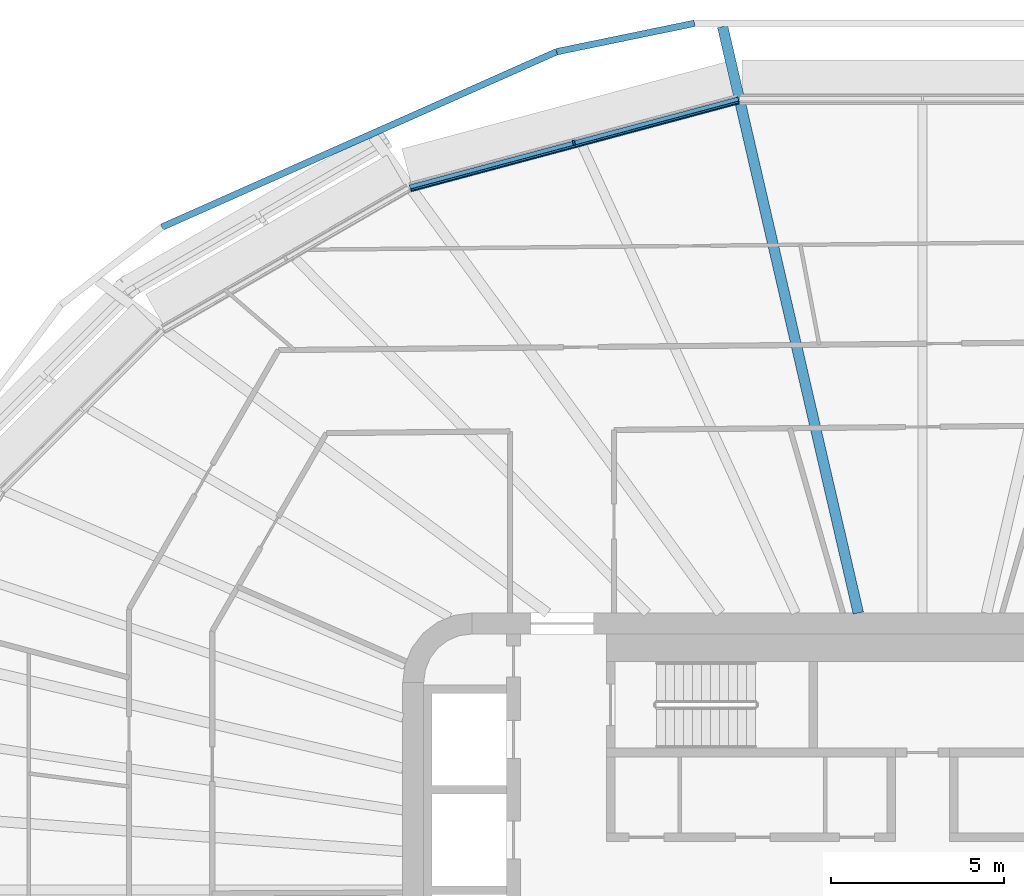
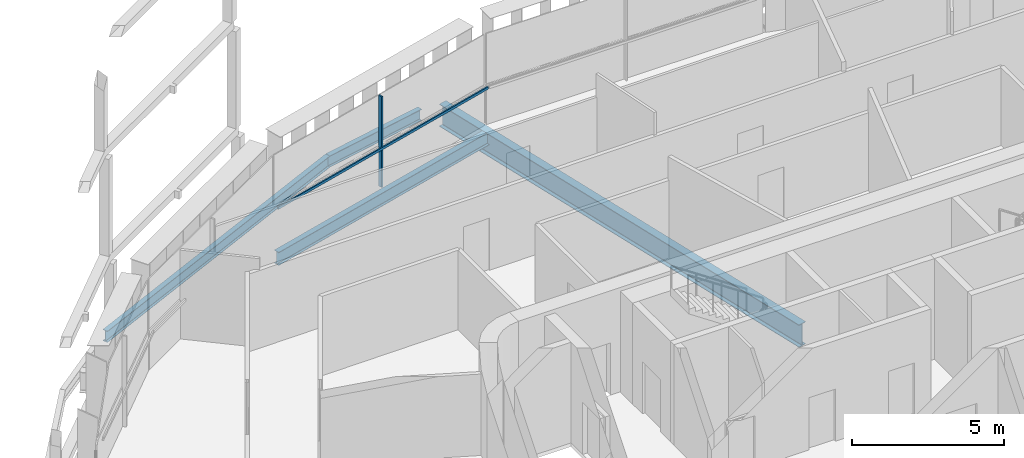
# One storey, part 8 of 24: 4 beams, 2 members, 1 element without a shape of its own.
"""IFC4 building model written with IfcOpenShell, lengths in metres."""

from ifc_helpers import new_model, si_unit, direction, frame, origin, origin_2d, place, context, subcontext, project, spatial, rectangle, i_section, extrude, material, layer, layer_set, material_profile, profile_set, type_object, element, aggregate, save


model = new_model("IFC4")

# Units and contexts
model_context = context("Model", 3, precision=1e-05, world=origin(), true_north=direction((0.0, 1.0)))
body_context = subcontext(model_context, "Body", "Model", "MODEL_VIEW")
ifc_project = project(units=[si_unit("LENGTHUNIT", "METRE"), si_unit("AREAUNIT", "SQUARE_METRE"), si_unit("VOLUMEUNIT", "CUBIC_METRE"), si_unit("PLANEANGLEUNIT", "RADIAN"), si_unit("MASSUNIT", "GRAM", prefix="KILO")], contexts=[model_context])

# Site, building, storey
site_placement = place(None, origin())
site = spatial("IfcSite", under=ifc_project, at=site_placement, CompositionType="ELEMENT")
building_placement = place(site_placement, origin())
building = spatial("IfcBuilding", under=site, at=building_placement, Name="Sahrelin Media Tower", CompositionType="ELEMENT")
storey_placement = place(building_placement, frame((0.0, 0.0, 58.800048828125)))
storey = spatial("IfcBuildingStorey", under=building, at=storey_placement, Name="L09", CompositionType="ELEMENT", Elevation=58.800048828125)

# Beam
ifc_material_1 = material(Name="Steel S355", Category="steel")
ifc_material_profile_1 = material_profile(ifc_material_1, i_section(OverallWidth=0.208740234375, OverallDepth=0.5283203125, WebThickness=0.009521484375, FlangeThickness=0.01318359375, FilletRadius=0.0126953125, at=origin_2d()), Name="UB 533x210x82")
ifc_profile_set_1 = profile_set([ifc_material_profile_1], Name="Steel S355")
beam_type_1 = type_object("IfcBeamType", Name="Edge beam EB6", PredefinedType="BEAM", material=ifc_profile_set_1)
beam_1_placement = place(storey_placement, frame((-14.786865234375, 20.250244140625, -0.414306640625), z_axis=(0.96592551844, 0.25882019401, 0.0), x_axis=(-0.25882019401, 0.96592551844, 0.0)))
element("IfcBeam", 1, at=beam_1_placement, inside=storey, type_object=beam_type_1, Name="Edge beam L09-18", PredefinedType="BEAM", context=body_context, shape_type="SweptSolid", body=[
    extrude(i_section(OverallWidth=0.208740234375, OverallDepth=0.5283203125, WebThickness=0.009521484375, FlangeThickness=0.01318359375, FilletRadius=0.0126953125, at=origin_2d()), origin(), (0.0, 0.0, 1.0), 9.817626953125),
])

# Curtain wall, member
ifc_material_2 = material(Name="Champagne anodised aluminium 6063-T6", Category="aluminium")
ifc_layer = layer(ifc_material_2, 0.14990234375)
ifc_layer_set = layer_set([ifc_layer], Name="Tower ribbon curtain wall")
curtain_wall_type = type_object("IfcCurtainWallType", Name="Tower ribbon curtain wall", PredefinedType="NOTDEFINED", material=ifc_layer_set)
curtain_wall_placement = place(storey_placement, frame((-10.083984375, 21.665771484375, 0.0), z_axis=(0.0, 0.0, 1.0), x_axis=(1.0, 0.0, 0.0)))
curtain_wall = element("IfcCurtainWall", 2, at=curtain_wall_placement, inside=storey, type_object=curtain_wall_type, Name="L09:CW:L09-07", PredefinedType="NOTDEFINED")
ifc_material_profile_2 = material_profile(ifc_material_2, rectangle(XDim=0.06005859375, YDim=0.14990234375, at=origin_2d()), Name="Mullion 60x150")
ifc_profile_set_2 = profile_set([ifc_material_profile_2], Name="Champagne anodised aluminium 6063-T6")
member_type_1 = type_object("IfcMemberType", Name="Mullion 60x150 CW1", PredefinedType="MULLION", material=ifc_profile_set_2)
member_1_placement = place(storey_placement, frame((-10.059326171875, 21.573974609375, 0.0), z_axis=(0.0, 0.0, 1.0), x_axis=(-0.965924471102, -0.258824102675, 0.0)))
member_1 = element("IfcMember", 3, at=member_1_placement, type_object=member_type_1, Name="L09:CWM:L09-07", PredefinedType="MULLION", context=body_context, shape_type="SweptSolid", body=[
    extrude(rectangle(XDim=0.06005859375, YDim=0.14990234375, at=origin_2d()), origin(), (0.0, 0.0, 1.0), 3.6484375),
])

# Beams
ifc_material_profile_3 = material_profile(ifc_material_1, i_section(OverallWidth=0.30322265625, OverallDepth=0.903076171875, WebThickness=0.01513671875, FlangeThickness=0.020263671875, FilletRadius=0.01904296875, at=origin_2d()), Name="UB 914x305x201")
ifc_profile_set_3 = profile_set([ifc_material_profile_3], Name="Steel S355")
beam_type_2 = type_object("IfcBeamType", Name="Radial primary beam PB11", PredefinedType="BEAM", material=ifc_profile_set_3)
beam_2_placement = place(storey_placement, frame((-1.85107421875, 8.0, -0.6015625), z_axis=(-0.225438360728, 0.974257432875, 0.0), x_axis=(-0.974257432875, -0.225438360728, 0.0)))
element("IfcBeam", 4, at=beam_2_placement, inside=storey, type_object=beam_type_2, Name="Radial beam L09-07", PredefinedType="BEAM", context=body_context, shape_type="SweptSolid", body=[
    extrude(i_section(OverallWidth=0.30322265625, OverallDepth=0.903076171875, WebThickness=0.01513671875, FlangeThickness=0.020263671875, FilletRadius=0.01904296875, at=origin_2d()), origin(), (0.0, 0.0, 1.0), 17.371826171875),
])
ifc_material_profile_4 = material_profile(ifc_material_1, i_section(OverallWidth=0.1904296875, OverallDepth=0.45703125, WebThickness=0.009033203125, FlangeThickness=0.014404296875, FilletRadius=0.01025390625, at=origin_2d()), Name="UB 457x191x74")
ifc_profile_set_4 = profile_set([ifc_material_profile_4], Name="Steel S355")
beam_type_3 = type_object("IfcBeamType", Name="Tie chord TC5", PredefinedType="BEAM", material=ifc_profile_set_4)
beam_3_placement = place(storey_placement, frame((-6.5791015625, 25.019775390625, -0.378662109375), z_axis=(-0.979385716401, -0.201999055716, 0.0), x_axis=(0.201999055716, -0.979385716401, 0.0)))
element("IfcBeam", 5, at=beam_3_placement, inside=storey, type_object=beam_type_3, Name="Tie chord L09-07", PredefinedType="BEAM", context=body_context, shape_type="SweptSolid", body=[
    extrude(i_section(OverallWidth=0.1904296875, OverallDepth=0.45703125, WebThickness=0.009033203125, FlangeThickness=0.014404296875, FilletRadius=0.01025390625, at=origin_2d()), origin(), (0.0, 0.0, 1.0), 4.059814453125),
])
beam_4_placement = place(storey_placement, frame((-10.55517578125, 24.19970703125, -0.378662109375), z_axis=(-0.91383253847, -0.406091235602, 0.0), x_axis=(0.406091235602, -0.91383253847, 0.0)))
element("IfcBeam", 6, at=beam_4_placement, inside=storey, type_object=beam_type_3, Name="Tie chord L09-08", PredefinedType="BEAM", context=body_context, shape_type="SweptSolid", body=[
    extrude(i_section(OverallWidth=0.1904296875, OverallDepth=0.45703125, WebThickness=0.009033203125, FlangeThickness=0.014404296875, FilletRadius=0.01025390625, at=origin_2d()), origin(), (0.0, 0.0, 1.0), 12.469970703125),
])

# Member
ifc_material_profile_5 = material_profile(ifc_material_2, rectangle(XDim=0.050048828125, YDim=0.10009765625, at=origin_2d()), Name="Transom 50x100")
ifc_profile_set_5 = profile_set([ifc_material_profile_5], Name="Champagne anodised aluminium 6063-T6")
member_type_2 = type_object("IfcMemberType", Name="Transom 50x100 CW1", PredefinedType="USERDEFINED", material=ifc_profile_set_5)
member_2_placement = place(storey_placement, frame((-5.30712890625, 22.743896484375, 1.599853515625), z_axis=(-0.965924109798, -0.258825451049, 0.0), x_axis=(0.258825451049, -0.965924109798, 0.0)))
member_2 = element("IfcMember", 7, at=member_2_placement, type_object=member_type_2, Name="L09:CWT:L09-07", ObjectType="TRANSOM", PredefinedType="USERDEFINED", context=body_context, shape_type="SweptSolid", body=[
    extrude(rectangle(XDim=0.050048828125, YDim=0.10009765625, at=origin_2d()), origin(), (0.0, 0.0, 1.0), 9.786376953125),
])

aggregate(curtain_wall, [member_1, member_2])

save(model, "model.ifc")
